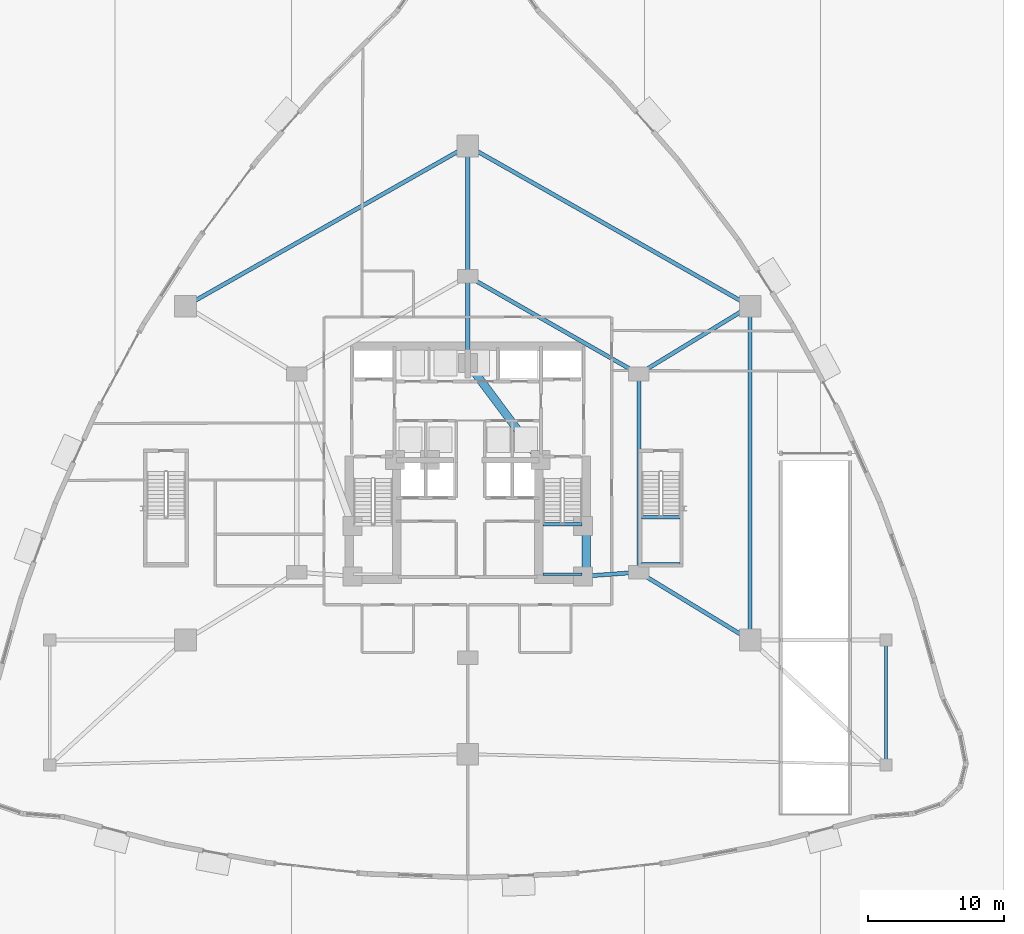
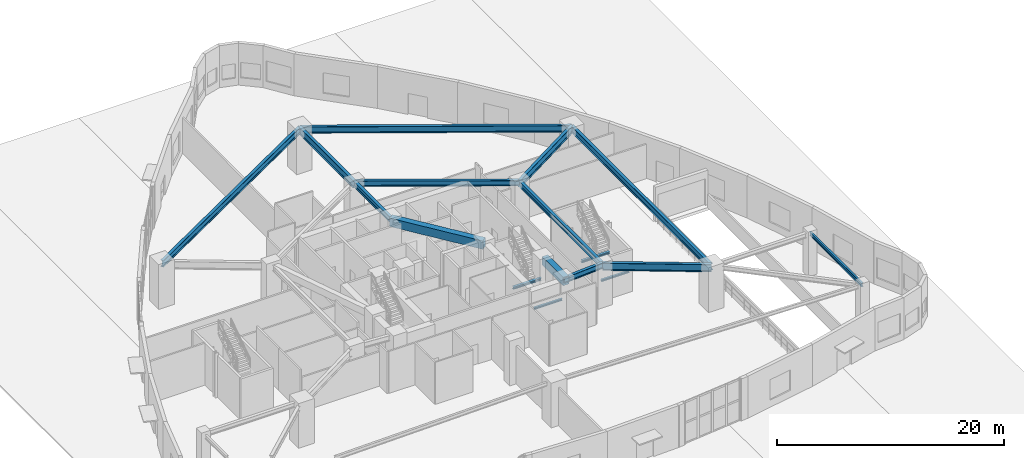
# One storey, part 13 of 32: 17 beams.
"""IFC4 building model written with IfcOpenShell, lengths in metres."""

from ifc_helpers import new_model, si_unit, direction, frame, origin, origin_2d, place, context, subcontext, project, spatial, rectangle, i_section, extrude, material, material_profile, profile_set, type_object, element, save


model = new_model("IFC4")

# Units and contexts
model_context = context("Model", 3, precision=1e-05, world=origin(), true_north=direction((0.0, 1.0)))
body_context = subcontext(model_context, "Body", "Model", "MODEL_VIEW")
ifc_project = project(units=[si_unit("LENGTHUNIT", "METRE"), si_unit("AREAUNIT", "SQUARE_METRE"), si_unit("VOLUMEUNIT", "CUBIC_METRE"), si_unit("PLANEANGLEUNIT", "RADIAN"), si_unit("MASSUNIT", "GRAM", prefix="KILO")], contexts=[model_context])

# Site, building, storey
site_placement = place(None, origin())
site = spatial("IfcSite", under=ifc_project, at=site_placement, CompositionType="ELEMENT")
building_placement = place(site_placement, origin())
building = spatial("IfcBuilding", under=site, at=building_placement, Name="Miruveldt Soraemaru", CompositionType="ELEMENT")
storey_placement = place(building_placement, origin())
storey = spatial("IfcBuildingStorey", under=building, at=storey_placement, Name="L01", CompositionType="ELEMENT", Elevation=0.0)

# Beams
ifc_material_1 = material(Name="Concrete C60/75 (60 MPa)", Category="concrete")
ifc_material_profile_1 = material_profile(ifc_material_1, rectangle(XDim=0.60009765625, YDim=0.89990234375, at=origin_2d()), Name="Concrete C60/75 (60 MPa)", Category="concrete")
ifc_profile_set_1 = profile_set([ifc_material_profile_1], Name="Concrete C60/75 (60 MPa)")
beam_type_1 = type_object("IfcBeamType", Name="BM-RC-600x900", PredefinedType="BEAM", material=ifc_profile_set_1)
beam_1_placement = place(storey_placement, frame((52.72998046875, 35.5, 4.050048828125), z_axis=(0.0, 1.0, 0.0), x_axis=(-1.0, 0.0, 0.0)))
element("IfcBeam", 1, at=beam_1_placement, inside=storey, type_object=beam_type_1, Name="L01 Core Tie Beam 3", PredefinedType="BEAM", context=body_context, shape_type="SweptSolid", body=[
    extrude(rectangle(XDim=0.60009765625, YDim=0.89990234375, at=origin_2d()), origin(), (0.0, 0.0, 1.0), 3.699951171875),
])
beam_2_placement = place(storey_placement, frame((49.35009765625, 44.050048828125, 4.050048828125), z_axis=(-0.599116023999, 0.800662219533, 0.0), x_axis=(-0.800662219533, -0.599116023999, 0.0)))
element("IfcBeam", 2, at=beam_2_placement, inside=storey, type_object=beam_type_1, Name="L01 Core Tie Beam 5", PredefinedType="BEAM", context=body_context, shape_type="SweptSolid", body=[
    extrude(rectangle(XDim=0.60009765625, YDim=0.89990234375, at=origin_2d()), origin(), (0.0, 0.0, 1.0), 8.929931640625),
])
ifc_material_2 = material(Name="Steel SM355 (355 MPa)", Category="steel")
ifc_material_profile_2 = material_profile(ifc_material_2, i_section(OverallWidth=0.199951171875, OverallDepth=0.39990234375, WebThickness=0.008056640625, FlangeThickness=0.012939453125, FilletRadius=0.01611328125, at=origin_2d()), Name="Steel SM355 (355 MPa)", Category="steel")
ifc_profile_set_2 = profile_set([ifc_material_profile_2], Name="Steel SM355 (355 MPa)")
beam_type_2 = type_object("IfcBeamType", Name="BM-ST-H400", PredefinedType="JOIST", material=ifc_profile_set_2)
beam_3_placement = place(storey_placement, frame((74.800048828125, 30.800048828125, 4.300048828125), z_axis=(0.0, -1.0, 0.0), x_axis=(1.0, 0.0, 0.0)))
element("IfcBeam", 3, at=beam_3_placement, inside=storey, type_object=beam_type_2, Name="L01 Podium East Bay Edge Beam", PredefinedType="JOIST", context=body_context, shape_type="SweptSolid", body=[
    extrude(i_section(OverallWidth=0.199951171875, OverallDepth=0.39990234375, WebThickness=0.008056640625, FlangeThickness=0.012939453125, FilletRadius=0.01611328125, at=origin_2d()), origin(), (0.0, 0.0, 1.0), 9.199951171875),
])
ifc_material_profile_3 = material_profile(ifc_material_2, i_section(OverallWidth=0.300048828125, OverallDepth=0.587890625, WebThickness=0.011962890625, FlangeThickness=0.02001953125, FilletRadius=0.028076171875, at=origin_2d()), Name="Steel SM355 (355 MPa)", Category="steel")
ifc_profile_set_3 = profile_set([ifc_material_profile_3], Name="Steel SM355 (355 MPa)")
beam_type_3 = type_object("IfcBeamType", Name="BM-ST-H588", PredefinedType="BEAM", material=ifc_profile_set_3)
beam_4_placement = place(storey_placement, frame((44.0, 57.60009765625, 4.2060546875), z_axis=(0.868239001029, -0.496146185203, 0.0), x_axis=(0.496146185203, 0.868239001029, 0.0)))
element("IfcBeam", 4, at=beam_4_placement, inside=storey, type_object=beam_type_3, Name="L01 Inner Ring Girder 1", PredefinedType="BEAM", context=body_context, shape_type="SweptSolid", body=[
    extrude(i_section(OverallWidth=0.300048828125, OverallDepth=0.587890625, WebThickness=0.011962890625, FlangeThickness=0.02001953125, FilletRadius=0.028076171875, at=origin_2d()), origin(), (0.0, 0.0, 1.0), 14.51220703125),
])
beam_5_placement = place(storey_placement, frame((44.0, 51.199951171875, 4.2060546875), z_axis=(0.0, 1.0, 0.0), x_axis=(-1.0, 0.0, 0.0)))
element("IfcBeam", 5, at=beam_5_placement, inside=storey, type_object=beam_type_3, Name="L01 Core-to-Inner Radial Girder 1", PredefinedType="BEAM", context=body_context, shape_type="SweptSolid", body=[
    extrude(i_section(OverallWidth=0.300048828125, OverallDepth=0.587890625, WebThickness=0.011962890625, FlangeThickness=0.02001953125, FilletRadius=0.028076171875, at=origin_2d()), origin(), (0.0, 0.0, 1.0), 6.400146484375),
])
beam_6_placement = place(storey_placement, frame((56.60009765625, 50.39990234375, 4.2060546875), z_axis=(0.0, -1.0, 0.0), x_axis=(1.0, 0.0, 0.0)))
element("IfcBeam", 6, at=beam_6_placement, inside=storey, type_object=beam_type_3, Name="L01 Inner Ring Girder 2", PredefinedType="BEAM", context=body_context, shape_type="SweptSolid", body=[
    extrude(i_section(OverallWidth=0.300048828125, OverallDepth=0.587890625, WebThickness=0.011962890625, FlangeThickness=0.02001953125, FilletRadius=0.028076171875, at=origin_2d()), origin(), (0.0, 0.0, 1.0), 14.599853515625),
])
beam_7_placement = place(storey_placement, frame((52.5, 35.5, 4.2060546875), z_axis=(0.997332985605, 0.072985723431, 0.0), x_axis=(-0.072985723431, 0.997332985605, 0.0)))
element("IfcBeam", 7, at=beam_7_placement, inside=storey, type_object=beam_type_3, Name="L01 Core-to-Inner Radial Girder 3", PredefinedType="BEAM", context=body_context, shape_type="SweptSolid", body=[
    extrude(i_section(OverallWidth=0.300048828125, OverallDepth=0.587890625, WebThickness=0.011962890625, FlangeThickness=0.02001953125, FilletRadius=0.028076171875, at=origin_2d()), origin(), (0.0, 0.0, 1.0), 4.111083984375),
])
ifc_material_profile_4 = material_profile(ifc_material_2, i_section(OverallWidth=0.300048828125, OverallDepth=0.699951171875, WebThickness=0.012939453125, FlangeThickness=0.02392578125, FilletRadius=0.028076171875, at=origin_2d()), Name="Steel SM355 (355 MPa)", Category="steel")
ifc_profile_set_4 = profile_set([ifc_material_profile_4], Name="Steel SM355 (355 MPa)")
beam_type_4 = type_object("IfcBeamType", Name="BM-ST-H700", PredefinedType="BEAM", material=ifc_profile_set_4)
beam_8_placement = place(storey_placement, frame((44.0, 67.199951171875, 4.14990234375), z_axis=(0.869782551993, -0.493435215858, 0.0), x_axis=(0.493435215858, 0.869782551993, 0.0)))
element("IfcBeam", 8, at=beam_8_placement, inside=storey, type_object=beam_type_4, Name="L01 Podium Ring Girder 1", PredefinedType="BEAM", context=body_context, shape_type="SweptSolid", body=[
    extrude(i_section(OverallWidth=0.300048828125, OverallDepth=0.699951171875, WebThickness=0.012939453125, FlangeThickness=0.02392578125, FilletRadius=0.028076171875, at=origin_2d()), origin(), (0.0, 0.0, 1.0), 23.9140625),
])
beam_9_placement = place(storey_placement, frame((64.800048828125, 55.39990234375, 4.14990234375), z_axis=(0.0, -1.0, 0.0), x_axis=(1.0, 0.0, 0.0)))
element("IfcBeam", 9, at=beam_9_placement, inside=storey, type_object=beam_type_4, Name="L01 Podium Ring Girder 2", PredefinedType="BEAM", context=body_context, shape_type="SweptSolid", body=[
    extrude(i_section(OverallWidth=0.300048828125, OverallDepth=0.699951171875, WebThickness=0.012939453125, FlangeThickness=0.02392578125, FilletRadius=0.028076171875, at=origin_2d()), origin(), (0.0, 0.0, 1.0), 24.599853515625),
])
beam_10_placement = place(storey_placement, frame((23.199951171875, 55.39990234375, 4.14990234375), z_axis=(0.869782551993, 0.493435215858, 0.0), x_axis=(-0.493435215858, 0.869782551993, 0.0)))
element("IfcBeam", 10, at=beam_10_placement, inside=storey, type_object=beam_type_4, Name="L01 Podium Ring Girder 6", PredefinedType="BEAM", context=body_context, shape_type="SweptSolid", body=[
    extrude(i_section(OverallWidth=0.300048828125, OverallDepth=0.699951171875, WebThickness=0.012939453125, FlangeThickness=0.02392578125, FilletRadius=0.028076171875, at=origin_2d()), origin(), (0.0, 0.0, 1.0), 23.9140625),
])
ifc_material_3 = material(Name="Steel S460 (460 MPa)", Category="steel")
ifc_material_profile_5 = material_profile(ifc_material_3, i_section(OverallWidth=0.300048828125, OverallDepth=0.800048828125, WebThickness=0.013916015625, FlangeThickness=0.02587890625, FilletRadius=0.028076171875, at=origin_2d()), Name="Steel S460 (460 MPa)", Category="steel")
ifc_profile_set_5 = profile_set([ifc_material_profile_5], Name="Steel S460 (460 MPa)")
beam_type_5 = type_object("IfcBeamType", Name="BM-ST-H800", PredefinedType="BEAM", material=ifc_profile_set_5)
beam_11_placement = place(storey_placement, frame((44.0, 57.60009765625, 4.10009765625), z_axis=(0.0, 1.0, 0.0), x_axis=(-1.0, 0.0, 0.0)))
element("IfcBeam", 11, at=beam_11_placement, inside=storey, type_object=beam_type_5, Name="L01 Podium Radial Girder 1", PredefinedType="BEAM", context=body_context, shape_type="SweptSolid", body=[
    extrude(i_section(OverallWidth=0.300048828125, OverallDepth=0.800048828125, WebThickness=0.013916015625, FlangeThickness=0.02587890625, FilletRadius=0.028076171875, at=origin_2d()), origin(), (0.0, 0.0, 1.0), 9.599853515625),
])
for number, where, z_axis, x_axis, name in (
    (12, (56.60009765625, 50.39990234375, 4.10009765625), (0.853794797843, 0.520609684098, 0.0), (-0.520609684098, 0.853794797843, 0.0), "L01 Podium Radial Girder 2"),
    (13, (56.60009765625, 35.800048828125, 4.10009765625), (0.853794797843, -0.520609684098, 0.0), (0.520609684098, 0.853794797843, 0.0), "L01 Podium Radial Girder 3"),
):
    element("IfcBeam", number, at=place(storey_placement, frame(where, z_axis=z_axis, x_axis=x_axis)), inside=storey, type_object=beam_type_5, Name=name, PredefinedType="BEAM", context=body_context, shape_type="SweptSolid", body=[
        extrude(i_section(OverallWidth=0.300048828125, OverallDepth=0.800048828125, WebThickness=0.013916015625, FlangeThickness=0.02587890625, FilletRadius=0.028076171875, at=origin_2d()), origin(), (0.0, 0.0, 1.0), 9.60400390625),
    ])
ifc_material_profile_6 = material_profile(ifc_material_2, i_section(OverallWidth=0.199951171875, OverallDepth=0.199951171875, WebThickness=0.008056640625, FlangeThickness=0.011962890625, FilletRadius=0.012939453125, at=origin_2d()), Name="Steel SM355 (355 MPa)", Category="steel")
ifc_profile_set_6 = profile_set([ifc_material_profile_6], Name="Steel SM355 (355 MPa)")
beam_type_6 = type_object("IfcBeamType", Name="BM-ST-LND200", PredefinedType="BEAM", material=ifc_profile_set_6)
for number, where, z_axis, x_axis, name in (
    (14, (49.550048828125, 35.64990234375, 2.10009765625), (1.0, 0.0, 0.0), (0.0, 1.0, 0.0), "L01 ST2 Landing End Beam 1B"),
    (15, (56.800048828125, 36.39990234375, 2.10009765625), (1.0, 0.0, 0.0), (0.0, 1.0, 0.0), "L01 ST4 Landing End Beam 1B"),
):
    element("IfcBeam", number, at=place(storey_placement, frame(where, z_axis=z_axis, x_axis=x_axis)), inside=storey, type_object=beam_type_6, Name=name, PredefinedType="BEAM", context=body_context, shape_type="SweptSolid", body=[
        extrude(i_section(OverallWidth=0.199951171875, OverallDepth=0.199951171875, WebThickness=0.008056640625, FlangeThickness=0.011962890625, FilletRadius=0.012939453125, at=origin_2d()), origin(), (0.0, 0.0, 1.0), 2.849853515625),
    ])
ifc_material_profile_7 = material_profile(ifc_material_2, i_section(OverallWidth=0.25, OverallDepth=0.25, WebThickness=0.009033203125, FlangeThickness=0.013916015625, FilletRadius=0.01611328125, at=origin_2d()), Name="Steel SM355 (355 MPa)", Category="steel")
ifc_profile_set_7 = profile_set([ifc_material_profile_7], Name="Steel SM355 (355 MPa)")
beam_type_7 = type_object("IfcBeamType", Name="BM-ST-LND250", PredefinedType="BEAM", material=ifc_profile_set_7)
for number, where, z_axis, x_axis, name in (
    (16, (49.550048828125, 39.340087890625, 2.074951171875), (1.0, 0.0, 0.0), (0.0, 1.0, 0.0), "L01 ST2 Landing Support Beam 1A"),
    (17, (56.800048828125, 39.840087890625, 2.074951171875), (1.0, 0.0, 0.0), (0.0, 1.0, 0.0), "L01 ST4 Landing Support Beam 1A"),
):
    element("IfcBeam", number, at=place(storey_placement, frame(where, z_axis=z_axis, x_axis=x_axis)), inside=storey, type_object=beam_type_7, Name=name, PredefinedType="BEAM", context=body_context, shape_type="SweptSolid", body=[
        extrude(i_section(OverallWidth=0.25, OverallDepth=0.25, WebThickness=0.009033203125, FlangeThickness=0.013916015625, FilletRadius=0.01611328125, at=origin_2d()), origin(), (0.0, 0.0, 1.0), 2.849853515625),
    ])

save(model, "model.ifc")
